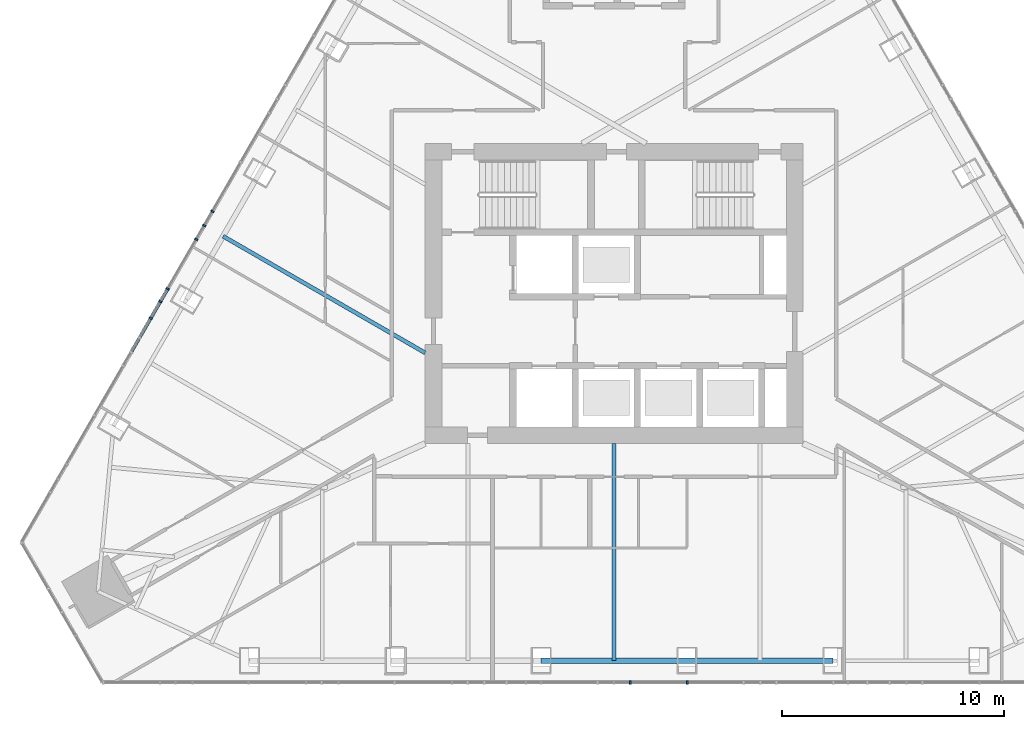
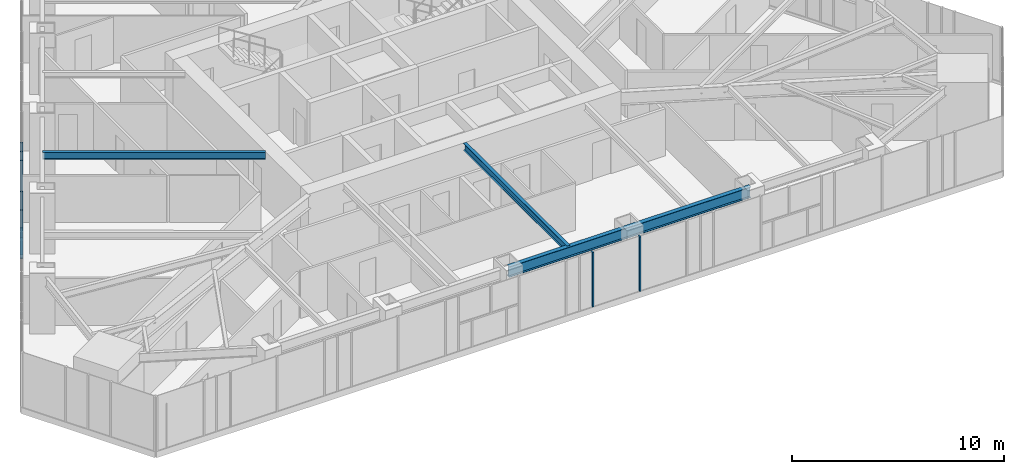
# One storey, part 4 of 20: 9 members, 3 beams, 2 elements without a shape of their own.
"""IFC4 building model written with IfcOpenShell, lengths in metres."""

from ifc_helpers import new_model, si_unit, direction, frame, origin, origin_2d, place, context, subcontext, project, spatial, rectangle, i_section, extrude, material, layer, layer_set, material_profile, profile_set, type_object, element, aggregate, save


model = new_model("IFC4")

# Units and contexts
model_context = context("Model", 3, precision=1e-05, world=origin(), true_north=direction((0.0, 1.0)))
body_context = subcontext(model_context, "Body", "Model", "MODEL_VIEW")
ifc_project = project(units=[si_unit("LENGTHUNIT", "METRE"), si_unit("AREAUNIT", "SQUARE_METRE"), si_unit("VOLUMEUNIT", "CUBIC_METRE"), si_unit("PLANEANGLEUNIT", "RADIAN"), si_unit("MASSUNIT", "GRAM", prefix="KILO")], contexts=[model_context])

# Site, building, storey
site_placement = place(None, origin())
site = spatial("IfcSite", under=ifc_project, at=site_placement, CompositionType="ELEMENT")
building_placement = place(site_placement, origin())
building = spatial("IfcBuilding", under=site, at=building_placement, Name="Firuza Gate Tower and Library", CompositionType="ELEMENT")
storey_placement = place(building_placement, frame((0.0, 0.0, 277.60009765625)))
storey = spatial("IfcBuildingStorey", under=building, at=storey_placement, Name="L66", CompositionType="ELEMENT", Elevation=277.60009765625)

# Curtain wall, members
ifc_material_1 = material(Name="Aluminium 6063-T6", Category="aluminium")
ifc_layer = layer(ifc_material_1, 0.14990234375)
ifc_layer_set = layer_set([ifc_layer], Name="Unitised curtain wall, residences")
curtain_wall_type = type_object("IfcCurtainWallType", Name="Unitised curtain wall, residences", PredefinedType="NOTDEFINED", material=ifc_layer_set)
placement = place(storey_placement, origin())
curtain_wall_1 = element("IfcCurtainWall", 1, at=placement, inside=storey, type_object=curtain_wall_type, Name="CW3 L66 S face", PredefinedType="NOTDEFINED")
ifc_material_2 = material(Name="Aluminium 6063-T6", Category="aluminium")
ifc_material_profile_1 = material_profile(ifc_material_2, rectangle(XDim=0.14990234375, YDim=0.080078125, at=origin_2d()))
ifc_profile_set_1 = profile_set([ifc_material_profile_1], Name="Aluminium 6063-T6")
member_type_1 = type_object("IfcMemberType", Name="Curtain wall mullion 80x150", PredefinedType="MULLION", material=ifc_profile_set_1)
member_1_placement = place(storey_placement, frame((78.288818359375, 57.501220703125, 0.14990234375), z_axis=(0.0, 0.0, 1.0), x_axis=(0.0, 1.0, 0.0)))
member_1 = element("IfcMember", 2, at=member_1_placement, type_object=member_type_1, Name="Mullion", PredefinedType="MULLION", context=body_context, shape_type="SweptSolid", body=[
    extrude(rectangle(XDim=0.14990234375, YDim=0.080078125, at=origin_2d()), origin(), (0.0, 0.0, 1.0), 3.14990234375),
])
member_2_placement = place(storey_placement, frame((75.730224609375, 57.501220703125, 0.14990234375), z_axis=(0.0, 0.0, 1.0), x_axis=(0.0, 1.0, 0.0)))
member_2 = element("IfcMember", 3, at=member_2_placement, type_object=member_type_1, Name="Mullion", PredefinedType="MULLION", context=body_context, shape_type="SweptSolid", body=[
    extrude(rectangle(XDim=0.14990234375, YDim=0.080078125, at=origin_2d()), origin(), (0.0, 0.0, 1.0), 3.14990234375),
])
aggregate(curtain_wall_1, [member_1, member_2])

curtain_wall_2 = element("IfcCurtainWall", 4, at=placement, inside=storey, type_object=curtain_wall_type, Name="CW3 L66 W face", PredefinedType="NOTDEFINED")
member_3_placement = place(storey_placement, frame((56.556884765625, 78.052978515625, 0.14990234375), z_axis=(0.0, 0.0, 1.0), x_axis=(0.866025403784, -0.5, 0.0)))
member_3 = element("IfcMember", 5, at=member_3_placement, type_object=member_type_1, Name="Mullion", PredefinedType="MULLION", context=body_context, shape_type="SweptSolid", body=[
    extrude(rectangle(XDim=0.14990234375, YDim=0.080078125, at=origin_2d()), origin(), (0.0, 0.0, 1.0), 3.14990234375),
])
member_4_placement = place(storey_placement, frame((54.912353515625, 75.20458984375, 0.14990234375), z_axis=(0.0, 0.0, 1.0), x_axis=(0.866025403784, -0.5, 0.0)))
member_4 = element("IfcMember", 6, at=member_4_placement, type_object=member_type_1, Name="Mullion", PredefinedType="MULLION", context=body_context, shape_type="SweptSolid", body=[
    extrude(rectangle(XDim=0.14990234375, YDim=0.080078125, at=origin_2d()), origin(), (0.0, 0.0, 1.0), 3.14990234375),
])
member_5_placement = place(storey_placement, frame((56.92822265625, 78.696044921875, 0.14990234375), z_axis=(0.0, 0.0, 1.0), x_axis=(0.866025403784, -0.5, 0.0)))
member_5 = element("IfcMember", 7, at=member_5_placement, type_object=member_type_1, Name="Mullion", PredefinedType="MULLION", context=body_context, shape_type="SweptSolid", body=[
    extrude(rectangle(XDim=0.14990234375, YDim=0.080078125, at=origin_2d()), origin(), (0.0, 0.0, 1.0), 3.14990234375),
])
member_6_placement = place(storey_placement, frame((56.197998046875, 77.43115234375, 0.14990234375), z_axis=(0.0, 0.0, 1.0), x_axis=(0.866025403784, -0.5, 0.0)))
member_6 = element("IfcMember", 8, at=member_6_placement, type_object=member_type_1, Name="Mullion", PredefinedType="MULLION", context=body_context, shape_type="SweptSolid", body=[
    extrude(rectangle(XDim=0.14990234375, YDim=0.080078125, at=origin_2d()), origin(), (0.0, 0.0, 1.0), 3.14990234375),
])
member_7_placement = place(storey_placement, frame((54.583251953125, 74.63427734375, 0.14990234375), z_axis=(0.0, 0.0, 1.0), x_axis=(0.866025403784, -0.5, 0.0)))
member_7 = element("IfcMember", 9, at=member_7_placement, type_object=member_type_1, Name="Mullion", PredefinedType="MULLION", context=body_context, shape_type="SweptSolid", body=[
    extrude(rectangle(XDim=0.14990234375, YDim=0.080078125, at=origin_2d()), origin(), (0.0, 0.0, 1.0), 1.534912109375),
])
member_8_placement = place(storey_placement, frame((54.150390625, 73.884765625, 1.764892578125), z_axis=(0.0, 0.0, 1.0), x_axis=(0.866025403784, -0.5, 0.0)))
member_8 = element("IfcMember", 10, at=member_8_placement, type_object=member_type_1, Name="Mullion", PredefinedType="MULLION", context=body_context, shape_type="SweptSolid", body=[
    extrude(rectangle(XDim=0.14990234375, YDim=0.080078125, at=origin_2d()), origin(), (0.0, 0.0, 1.0), 1.534912109375),
])
ifc_material_3 = material(Name="Aluminium 6063-T6", Category="aluminium")
ifc_material_profile_2 = material_profile(ifc_material_3, rectangle(XDim=0.14990234375, YDim=0.080078125, at=origin_2d()))
ifc_profile_set_2 = profile_set([ifc_material_profile_2], Name="Aluminium 6063-T6")
member_type_2 = type_object("IfcMemberType", Name="Curtain wall transom 80x150", PredefinedType="USERDEFINED", material=ifc_profile_set_2)
member_9_placement = place(storey_placement, frame((54.892333984375, 75.169921875, 1.724853515625), z_axis=(-0.4999771297, -0.866038607556, 0.0), x_axis=(0.866038607556, -0.4999771297, 0.0)))
member_9 = element("IfcMember", 11, at=member_9_placement, type_object=member_type_2, Name="Transom", ObjectType="TRANSOM", PredefinedType="USERDEFINED", context=body_context, shape_type="SweptSolid", body=[
    extrude(rectangle(XDim=0.14990234375, YDim=0.080078125, at=origin_2d()), origin(), (0.0, 0.0, 1.0), 3.208740234375),
])
aggregate(curtain_wall_2, [member_3, member_4, member_5, member_6, member_7, member_8, member_9])

# Beams
ifc_material_4 = material(Name="Steel S355", Category="steel")
ifc_material_profile_3 = material_profile(ifc_material_4, i_section(OverallWidth=0.177978515625, OverallDepth=0.406982421875, WebThickness=0.0078125, FlangeThickness=0.0126953125, at=origin_2d()))
ifc_profile_set_3 = profile_set([ifc_material_profile_3], Name="Steel S355")
beam_type_1 = type_object("IfcBeamType", Name="W410x60 Floor beam", PredefinedType="JOIST", material=ifc_profile_set_3)
beam_1_placement = place(storey_placement, frame((75.0, 58.476318359375, 3.096435546875), z_axis=(0.0, 1.0, 0.0), x_axis=(-1.0, 0.0, 0.0)))
element("IfcBeam", 12, at=beam_1_placement, inside=storey, type_object=beam_type_1, Name="Floor beam L66 s22", PredefinedType="JOIST", context=body_context, shape_type="SweptSolid", body=[
    extrude(i_section(OverallWidth=0.177978515625, OverallDepth=0.406982421875, WebThickness=0.0078125, FlangeThickness=0.0126953125, at=origin_2d()), origin(), (0.0, 0.0, 1.0), 9.773681640625),
])
beam_2_placement = place(storey_placement, frame((57.407470703125, 77.576171875, 3.096435546875), z_axis=(0.866017913171, -0.500012973899, 0.0), x_axis=(0.500012973899, 0.866017913171, 0.0)))
element("IfcBeam", 13, at=beam_2_placement, inside=storey, type_object=beam_type_1, Name="Floor beam L66 s83", PredefinedType="JOIST", context=body_context, shape_type="SweptSolid", body=[
    extrude(i_section(OverallWidth=0.177978515625, OverallDepth=0.406982421875, WebThickness=0.0078125, FlangeThickness=0.0126953125, at=origin_2d()), origin(), (0.0, 0.0, 1.0), 10.499267578125),
])
ifc_material_5 = material(Name="Steel S355", Category="steel")
ifc_material_profile_4 = material_profile(ifc_material_5, i_section(OverallWidth=0.22900390625, OverallDepth=0.612060546875, WebThickness=0.011962890625, FlangeThickness=0.01953125, at=origin_2d()))
ifc_profile_set_4 = profile_set([ifc_material_profile_4], Name="Steel S355")
beam_type_2 = type_object("IfcBeamType", Name="W610x125 Edge beam", PredefinedType="SPANDREL", material=ifc_profile_set_4)
beam_3_placement = place(storey_placement, frame((71.71728515625, 58.476318359375, 2.993896484375), z_axis=(1.0, 0.0, 0.0), x_axis=(0.0, 1.0, 0.0)))
element("IfcBeam", 14, at=beam_3_placement, inside=storey, type_object=beam_type_2, Name="Edge beam L66 e22", PredefinedType="SPANDREL", context=body_context, shape_type="SweptSolid", body=[
    extrude(i_section(OverallWidth=0.22900390625, OverallDepth=0.612060546875, WebThickness=0.011962890625, FlangeThickness=0.01953125, at=origin_2d()), origin(), (0.0, 0.0, 1.0), 13.130615234375),
])

save(model, "model.ifc")
